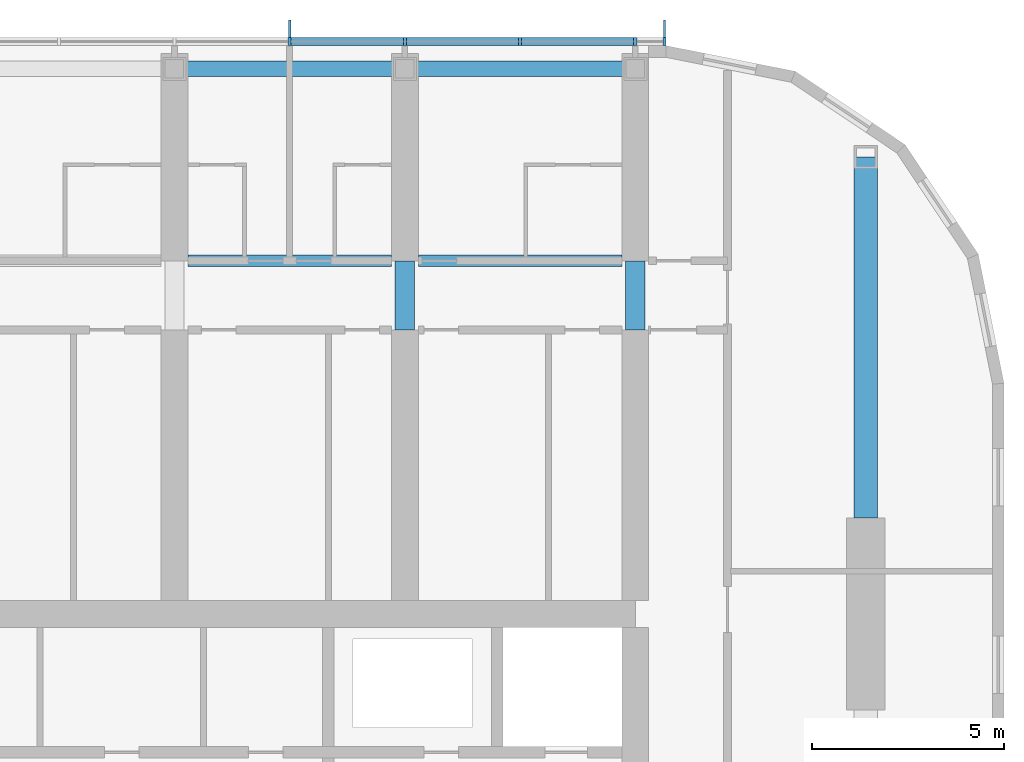
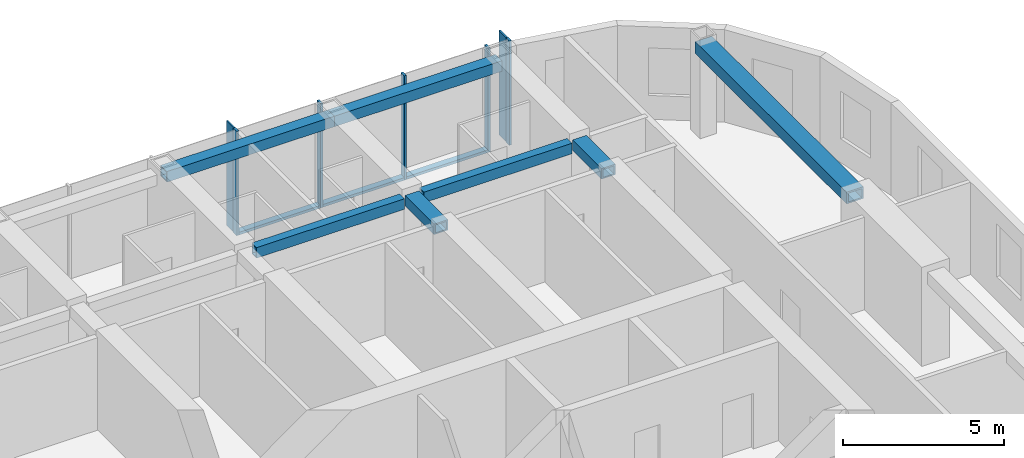
# One storey, part 7 of 28: 10 members, 7 beams, 1 element without a shape of its own.
"""IFC4 building model written with IfcOpenShell, lengths in metres."""

from ifc_helpers import new_model, si_unit, direction, frame, origin, origin_2d, place, context, subcontext, project, spatial, rectangle, hollow_rectangle, extrude, material, material_profile, profile_set, type_object, element, aggregate, save


model = new_model("IFC4")

# Units and contexts
model_context = context("Model", 3, precision=1e-05, world=origin(), true_north=direction((0.0, 1.0)))
body_context = subcontext(model_context, "Body", "Model", "MODEL_VIEW")
ifc_project = project(units=[si_unit("LENGTHUNIT", "METRE"), si_unit("AREAUNIT", "SQUARE_METRE"), si_unit("VOLUMEUNIT", "CUBIC_METRE"), si_unit("PLANEANGLEUNIT", "RADIAN"), si_unit("MASSUNIT", "GRAM", prefix="KILO")], contexts=[model_context])

# Site, building, storey
site_placement = place(None, origin())
site = spatial("IfcSite", under=ifc_project, at=site_placement, CompositionType="ELEMENT")
building_placement = place(site_placement, origin())
building = spatial("IfcBuilding", under=site, at=building_placement, Name="Orbita Commons", CompositionType="ELEMENT")
storey_placement = place(building_placement, frame((0.0, 0.0, 216.550048828125)))
storey = spatial("IfcBuildingStorey", under=building, at=storey_placement, Name="L53", CompositionType="ELEMENT", Elevation=216.550048828125)

# Curtain wall, members
ifc_material_1 = material(Name="Anodised aluminium frame, pale silver", Category="aluminium")
curtain_wall_type = type_object("IfcCurtainWallType", Name="Unitised curtain wall CW-U, full-height vision", PredefinedType="NOTDEFINED", material=ifc_material_1)
curtain_wall_placement = place(storey_placement, origin())
curtain_wall = element("IfcCurtainWall", 1, at=curtain_wall_placement, inside=storey, type_object=curtain_wall_type, Name="Curtain wall north L53", PredefinedType="NOTDEFINED")
ifc_material_2 = material(Name="Anodised aluminium, pale silver", Category="aluminium")
ifc_material_profile_1 = material_profile(ifc_material_2, rectangle(XDim=0.080078125, YDim=0.219970703125, at=origin_2d()), Name="AL 80x220")
ifc_profile_set_1 = profile_set([ifc_material_profile_1], Name="Anodised aluminium, pale silver")
member_type_1 = type_object("IfcMemberType", Name="Curtain wall mullion 80x220", PredefinedType="MULLION", material=ifc_profile_set_1)
member_1_placement = place(storey_placement, frame((66.760009765625, 53.110107421875, -0.449951171875), z_axis=(0.0, 0.0, 1.0), x_axis=(-1.0, 0.0, 0.0)))
member_1 = element("IfcMember", 2, at=member_1_placement, type_object=member_type_1, Name="Mullion 1 CW-L53-N", PredefinedType="MULLION", context=body_context, shape_type="SweptSolid", body=[
    extrude(rectangle(XDim=0.080078125, YDim=0.219970703125, at=origin_2d()), origin(), (0.0, 0.0, 1.0), 3.949951171875),
])
member_2_placement = place(storey_placement, frame((66.0, 53.110107421875, -0.449951171875), z_axis=(0.0, 0.0, 1.0), x_axis=(-1.0, 0.0, 0.0)))
member_2 = element("IfcMember", 3, at=member_2_placement, type_object=member_type_1, Name="Mullion 2 CW-L53-N", PredefinedType="MULLION", context=body_context, shape_type="SweptSolid", body=[
    extrude(rectangle(XDim=0.080078125, YDim=0.219970703125, at=origin_2d()), origin(), (0.0, 0.0, 1.0), 3.949951171875),
])
member_3_placement = place(storey_placement, frame((63.0, 53.110107421875, -0.449951171875), z_axis=(0.0, 0.0, 1.0), x_axis=(-1.0, 0.0, 0.0)))
member_3 = element("IfcMember", 4, at=member_3_placement, type_object=member_type_1, Name="Mullion 3 CW-L53-N", PredefinedType="MULLION", context=body_context, shape_type="SweptSolid", body=[
    extrude(rectangle(XDim=0.080078125, YDim=0.219970703125, at=origin_2d()), origin(), (0.0, 0.0, 1.0), 3.949951171875),
])
member_4_placement = place(storey_placement, frame((60.0, 53.110107421875, -0.449951171875), z_axis=(0.0, 0.0, 1.0), x_axis=(-1.0, 0.0, 0.0)))
member_4 = element("IfcMember", 5, at=member_4_placement, type_object=member_type_1, Name="Mullion 4 CW-L53-N", PredefinedType="MULLION", context=body_context, shape_type="SweptSolid", body=[
    extrude(rectangle(XDim=0.080078125, YDim=0.219970703125, at=origin_2d()), origin(), (0.0, 0.0, 1.0), 3.949951171875),
])
member_5_placement = place(storey_placement, frame((57.0, 53.110107421875, -0.449951171875), z_axis=(0.0, 0.0, 1.0), x_axis=(-1.0, 0.0, 0.0)))
member_5 = element("IfcMember", 6, at=member_5_placement, type_object=member_type_1, Name="Mullion 5 CW-L53-N", PredefinedType="MULLION", context=body_context, shape_type="SweptSolid", body=[
    extrude(rectangle(XDim=0.080078125, YDim=0.219970703125, at=origin_2d()), origin(), (0.0, 0.0, 1.0), 3.949951171875),
])
ifc_material_3 = material(Name="Anodised aluminium, pale silver", Category="aluminium")
ifc_material_profile_2 = material_profile(ifc_material_3, rectangle(XDim=0.219970703125, YDim=0.10009765625, at=origin_2d()), Name="AL 220x100")
ifc_profile_set_2 = profile_set([ifc_material_profile_2], Name="Anodised aluminium, pale silver")
member_type_2 = type_object("IfcMemberType", Name="Curtain wall stack transom 220x100", PredefinedType="USERDEFINED", material=ifc_profile_set_2)
member_6_placement = place(storey_placement, frame((65.9599609375, 53.110107421875, -0.400146484375), z_axis=(-1.0, 0.0, 0.0), x_axis=(0.0, -1.0, 0.0)))
member_6 = element("IfcMember", 7, at=member_6_placement, type_object=member_type_2, Name="Transom 2.1 CW-L53-N", ObjectType="TRANSOM", PredefinedType="USERDEFINED", context=body_context, shape_type="SweptSolid", body=[
    extrude(rectangle(XDim=0.219970703125, YDim=0.10009765625, at=origin_2d()), origin(), (0.0, 0.0, 1.0), 2.919921875),
])
member_7_placement = place(storey_placement, frame((62.9599609375, 53.110107421875, -0.400146484375), z_axis=(-1.0, 0.0, 0.0), x_axis=(0.0, -1.0, 0.0)))
member_7 = element("IfcMember", 8, at=member_7_placement, type_object=member_type_2, Name="Transom 3.1 CW-L53-N", ObjectType="TRANSOM", PredefinedType="USERDEFINED", context=body_context, shape_type="SweptSolid", body=[
    extrude(rectangle(XDim=0.219970703125, YDim=0.10009765625, at=origin_2d()), origin(), (0.0, 0.0, 1.0), 2.919921875),
])
member_8_placement = place(storey_placement, frame((59.9599609375, 53.110107421875, -0.400146484375), z_axis=(-1.0, 0.0, 0.0), x_axis=(0.0, -1.0, 0.0)))
member_8 = element("IfcMember", 9, at=member_8_placement, type_object=member_type_2, Name="Transom 4.1 CW-L53-N", ObjectType="TRANSOM", PredefinedType="USERDEFINED", context=body_context, shape_type="SweptSolid", body=[
    extrude(rectangle(XDim=0.219970703125, YDim=0.10009765625, at=origin_2d()), origin(), (0.0, 0.0, 1.0), 2.919921875),
])

# Beams
ifc_material_4 = material(Name="Steel ASTM A572 Gr 50 welded plate", Category="steel")
ifc_material_profile_3 = material_profile(ifc_material_4, hollow_rectangle(XDim=0.300048828125, YDim=0.39990234375, WallThickness=0.0400390625, at=origin_2d()), Name="BOX 400x300x40")
ifc_profile_set_3 = profile_set([ifc_material_profile_3], Name="Steel ASTM A572 Gr 50 welded plate")
beam_type_1 = type_object("IfcBeamType", Name="Steel corridor link BOX 400x300x40", PredefinedType="BEAM", material=ifc_profile_set_3)
for number, where, z_axis, x_axis, name in (
    (10, (54.35009765625, 47.39990234375, 3.300048828125), (1.0, 0.0, 0.0), (0.0, 1.0, 0.0), "Corridor beam NB 10-11 L53"),
    (11, (60.35009765625, 47.39990234375, 3.300048828125), (1.0, 0.0, 0.0), (0.0, 1.0, 0.0), "Corridor beam NB 11-12 L53"),
):
    element("IfcBeam", number, at=place(storey_placement, frame(where, z_axis=z_axis, x_axis=x_axis)), inside=storey, type_object=beam_type_1, Name=name, PredefinedType="BEAM", context=body_context, shape_type="SweptSolid", body=[
        extrude(hollow_rectangle(XDim=0.300048828125, YDim=0.39990234375, WallThickness=0.0400390625, at=origin_2d()), origin(), (0.0, 0.0, 1.0), 5.2998046875),
    ])
ifc_material_5 = material(Name="Steel ASTM A572 Gr 50 welded plate", Category="steel")
ifc_material_profile_4 = material_profile(ifc_material_5, hollow_rectangle(XDim=0.5, YDim=0.39990234375, WallThickness=0.050048828125, at=origin_2d()), Name="BOX 400x500x50")
ifc_profile_set_4 = profile_set([ifc_material_profile_4], Name="Steel ASTM A572 Gr 50 welded plate")
beam_type_2 = type_object("IfcBeamType", Name="Steel coupling link BOX 400x500x50", PredefinedType="LINTEL", material=ifc_profile_set_4)
for number, where, z_axis, x_axis, name in (
    (12, (60.0, 45.60009765625, 3.300048828125), (0.0, 1.0, 0.0), (-1.0, 0.0, 0.0), "Coupling beam 11 north L53"),
    (13, (66.0, 45.60009765625, 3.300048828125), (0.0, 1.0, 0.0), (-1.0, 0.0, 0.0), "Coupling beam 12 north L53"),
):
    element("IfcBeam", number, at=place(storey_placement, frame(where, z_axis=z_axis, x_axis=x_axis)), inside=storey, type_object=beam_type_2, Name=name, PredefinedType="LINTEL", context=body_context, shape_type="SweptSolid", body=[
        extrude(hollow_rectangle(XDim=0.5, YDim=0.39990234375, WallThickness=0.050048828125, at=origin_2d()), origin(), (0.0, 0.0, 1.0), 1.7998046875),
    ])
ifc_material_6 = material(Name="Steel ASTM A572 Gr 50 welded plate", Category="steel")
ifc_material_profile_5 = material_profile(ifc_material_6, hollow_rectangle(XDim=0.60009765625, YDim=0.449951171875, WallThickness=0.06005859375, at=origin_2d()), Name="BOX 450x600x60")
ifc_profile_set_5 = profile_set([ifc_material_profile_5], Name="Steel ASTM A572 Gr 50 welded plate")
beam_type_3 = type_object("IfcBeamType", Name="Steel end frame link BOX 450x600x60", PredefinedType="BEAM", material=ifc_profile_set_5)
beam_placement = place(storey_placement, frame((72.0, 40.699951171875, 3.27490234375), z_axis=(0.0, 1.0, 0.0), x_axis=(-1.0, 0.0, 0.0)))
element("IfcBeam", 14, at=beam_placement, inside=storey, type_object=beam_type_3, Name="End frame beam 13 D-E L53", PredefinedType="BEAM", context=body_context, shape_type="SweptSolid", body=[
    extrude(hollow_rectangle(XDim=0.60009765625, YDim=0.449951171875, WallThickness=0.06005859375, at=origin_2d()), origin(), (0.0, 0.0, 1.0), 9.400146484375),
])
ifc_material_7 = material(Name="Steel ASTM A572 Gr 50 welded plate", Category="steel")
ifc_material_profile_6 = material_profile(ifc_material_7, hollow_rectangle(XDim=0.39990234375, YDim=0.39990234375, WallThickness=0.0400390625, at=origin_2d()), Name="BOX 400x400x40")
ifc_profile_set_6 = profile_set([ifc_material_profile_6], Name="Steel ASTM A572 Gr 50 welded plate")
beam_type_4 = type_object("IfcBeamType", Name="Steel spandrel BOX 400x400x40", PredefinedType="SPANDREL", material=ifc_profile_set_6)
for number, where, z_axis, x_axis, name in (
    (15, (54.0, 52.39990234375, 3.300048828125), (1.0, 0.0, 0.0), (0.0, 1.0, 0.0), "Spandrel beam E 10-11 L53"),
    (16, (60.0, 52.39990234375, 3.300048828125), (1.0, 0.0, 0.0), (0.0, 1.0, 0.0), "Spandrel beam E 11-12 L53"),
):
    element("IfcBeam", number, at=place(storey_placement, frame(where, z_axis=z_axis, x_axis=x_axis)), inside=storey, type_object=beam_type_4, Name=name, PredefinedType="SPANDREL", context=body_context, shape_type="SweptSolid", body=[
        extrude(hollow_rectangle(XDim=0.39990234375, YDim=0.39990234375, WallThickness=0.0400390625, at=origin_2d()), origin(), (0.0, 0.0, 1.0), 6.0),
    ])

# Member
ifc_material_8 = material(Name="Anodised aluminium, pale silver", Category="aluminium")
ifc_material_profile_7 = material_profile(ifc_material_8, rectangle(XDim=0.06005859375, YDim=0.449951171875, at=origin_2d()), Name="FIN 60x450")
ifc_profile_set_7 = profile_set([ifc_material_profile_7], Name="Anodised aluminium, pale silver")
member_type_3 = type_object("IfcMemberType", Name="Vertical fin 60x450 pale aluminium", PredefinedType="USERDEFINED", material=ifc_profile_set_7)
member_9_placement = place(storey_placement, frame((66.760009765625, 53.445068359375, -0.449951171875), z_axis=(0.0, 0.0, 1.0), x_axis=(-1.0, 0.0, 0.0)))
member_9 = element("IfcMember", 17, at=member_9_placement, type_object=member_type_3, Name="Fin 1 CW-L53-N", ObjectType="FIN", PredefinedType="USERDEFINED", context=body_context, shape_type="SweptSolid", body=[
    extrude(rectangle(XDim=0.06005859375, YDim=0.449951171875, at=origin_2d()), origin(), (0.0, 0.0, 1.0), 3.949951171875),
])

member_10_placement = place(storey_placement, frame((57.0, 53.445068359375, -0.449951171875), z_axis=(0.0, 0.0, 1.0), x_axis=(-1.0, 0.0, 0.0)))
member_10 = element("IfcMember", 18, at=member_10_placement, type_object=member_type_3, Name="Fin 5 CW-L53-N", ObjectType="FIN", PredefinedType="USERDEFINED", context=body_context, shape_type="SweptSolid", body=[
    extrude(rectangle(XDim=0.06005859375, YDim=0.449951171875, at=origin_2d()), origin(), (0.0, 0.0, 1.0), 3.949951171875),
])

aggregate(curtain_wall, [member_1, member_9, member_2, member_3, member_4, member_5, member_10, member_6, member_7, member_8])

save(model, "model.ifc")
